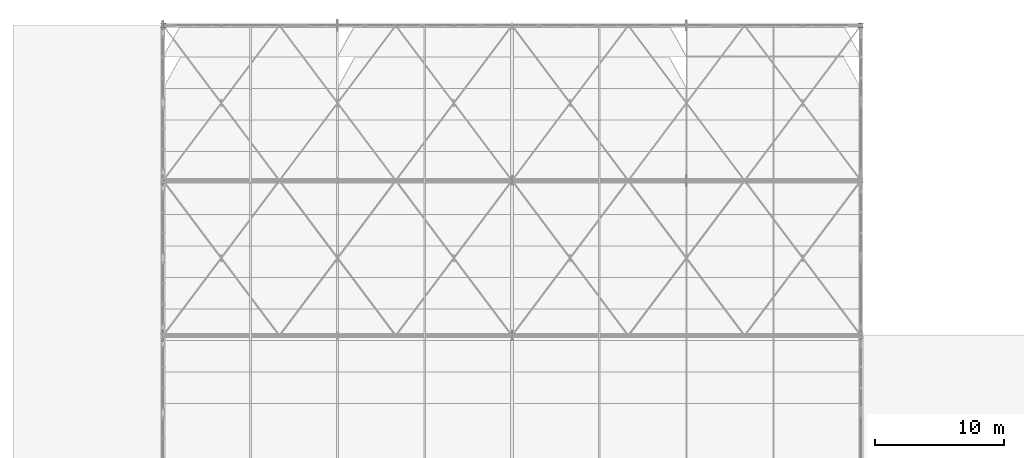
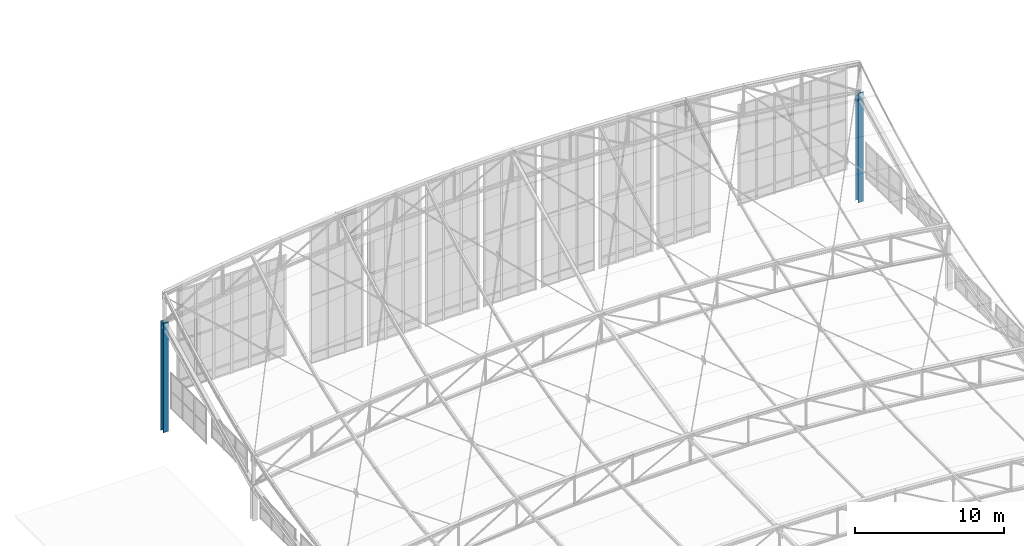
# One storey, part 11 of 262: 2 columns.
"""IFC4 building model written with IfcOpenShell, lengths in metres."""

import ifcopenshell
import ifcopenshell.guid

model = None  # the IFC model being written
_history = None  # IfcOwnerHistory: only IFC2X3 demands one
_inside = {}  # id of a spatial element -> (the spatial element, [elements in it])
_under = {}  # id of a project, library or spatial element -> (it, [spatial elements below it])
_declared = {}  # id of a project -> (the project, [libraries it declares])
_typed = {}  # id of a type object -> (the type object, [elements of that type])
_made_of = {}  # id of a material, layer set ... -> (it, [elements and type objects made of it])


def new_model(schema):
    """Start an empty IFC model of exactly this schema.

    Asked for "IFC4X3", IfcOpenShell would pick the latest addendum, in which some entities
    have other attributes; the version numbers below select the first issue.
    IFC2X3 requires an IfcOwnerHistory on every rooted entity: one is made here for all.
    """
    global model, _history
    if schema == "IFC4X3":
        model = ifcopenshell.file(schema_version=(4, 3, 0, 0))
    else:
        model = ifcopenshell.file(schema=schema)
    _inside.clear()
    _under.clear()
    _declared.clear()
    _typed.clear()
    _made_of.clear()
    _history = None
    if model.schema == "IFC2X3":
        org = make("IfcOrganization", Name="unknown")
        user = make(
            "IfcPersonAndOrganization",
            ThePerson=make("IfcPerson", FamilyName="unknown"),
            TheOrganization=org,
        )
        app = make(
            "IfcApplication",
            ApplicationDeveloper=org,
            Version="unknown",
            ApplicationFullName="unknown",
            ApplicationIdentifier="unknown",
        )
        _history = make(
            "IfcOwnerHistory",
            OwningUser=user,
            OwningApplication=app,
            ChangeAction="ADDED",
            CreationDate=0,
        )
    return model


def make(cls, **values):
    """One entity of the class cls with the attributes given. An attribute that is None is left unset."""
    return model.create_entity(
        cls, **{name: value for name, value in values.items() if value is not None}
    )


def rooted(cls, **values):
    """An entity with a GlobalId (a new one), such as an element, a storey or a relation."""
    return make(cls, GlobalId=ifcopenshell.guid.new(), OwnerHistory=_history, **values)


def si_unit(unit_type, name, prefix=None):
    """IfcSIUnit, for example si_unit("LENGTHUNIT", "METRE", prefix="MILLI")."""
    return make("IfcSIUnit", UnitType=unit_type, Prefix=prefix, Name=name)


def derived_unit(unit_type, elements):
    """IfcDerivedUnit: a product of units, each with its exponent."""
    return make(
        "IfcDerivedUnit",
        Elements=[
            make("IfcDerivedUnitElement", Unit=unit, Exponent=power)
            for unit, power in elements
        ],
        UnitType=unit_type,
    )


def assignment(units):
    """IfcUnitAssignment: the units of a project."""
    return None if units is None else make("IfcUnitAssignment", Units=units)


def point(xyz):
    """IfcCartesianPoint."""
    return None if xyz is None else make("IfcCartesianPoint", Coordinates=xyz)


def direction(xyz):
    """IfcDirection."""
    return None if xyz is None else make("IfcDirection", DirectionRatios=xyz)


def frame(location, z_axis=None, x_axis=None):
    """IfcAxis2Placement3D, a coordinate frame: its origin and axes. An axis left out is left unset."""
    return make(
        "IfcAxis2Placement3D",
        Location=point(location),
        Axis=direction(z_axis),
        RefDirection=direction(x_axis),
    )


def frame_2d(location, x_axis=None):
    """IfcAxis2Placement2D, a coordinate frame in the plane: its origin and x axis."""
    return make(
        "IfcAxis2Placement2D", Location=point(location), RefDirection=direction(x_axis)
    )


def origin():
    """The frame at (0, 0, 0) with its axes left unset."""
    return frame((0.0, 0.0, 0.0))


def origin_2d():
    """The frame at (0, 0) in the plane with its x axis left unset."""
    return frame_2d((0.0, 0.0))


def place(relative_to, where):
    """IfcLocalPlacement: puts the frame where relative to a parent placement (None: the world)."""
    return make(
        "IfcLocalPlacement", PlacementRelTo=relative_to, RelativePlacement=where
    )


def context(
    kind, dimensions, precision=None, world=None, true_north=None, identifier=None
):
    """IfcGeometricRepresentationContext, for example the 3D "Model" context."""
    return make(
        "IfcGeometricRepresentationContext",
        ContextIdentifier=identifier,
        ContextType=kind,
        CoordinateSpaceDimension=dimensions,
        Precision=precision,
        WorldCoordinateSystem=world,
        TrueNorth=true_north,
    )


def subcontext(parent, identifier, kind, view, scale=None):
    """IfcGeometricRepresentationSubContext, for example "Body" below "Model"."""
    return make(
        "IfcGeometricRepresentationSubContext",
        ContextIdentifier=identifier,
        ContextType=kind,
        ParentContext=parent,
        TargetScale=scale,
        TargetView=view,
    )


def project(units=None, contexts=None):
    """IfcProject with its units and contexts."""
    return rooted(
        "IfcProject",
        Name="project",
        RepresentationContexts=contexts,
        UnitsInContext=assignment(units),
    )


def spatial(cls, under=None, at=None, **own):
    """A site, building, storey or space (cls), placed at a placement, below another one or the project."""
    s = rooted(cls, ObjectPlacement=at, **own)
    if under is not None:
        _under.setdefault(under.id(), (under, []))[1].append(s)
    return s


def profile(cls, at=None, kind="AREA", **sizes):
    """A parametric profile (cls). Its sizes go by their IFC names, for example OverallWidth=200.0."""
    return make(cls, ProfileType=kind, Position=at, **sizes)


def i_section(**sizes):
    """IfcIShapeProfileDef."""
    return profile("IfcIShapeProfileDef", **sizes)


def extrude(swept, where, along, depth):
    """IfcExtrudedAreaSolid: the profile swept, set in the frame where, extruded along a direction by depth."""
    return make(
        "IfcExtrudedAreaSolid",
        SweptArea=swept,
        Position=where,
        ExtrudedDirection=direction(along),
        Depth=depth,
    )


def shape(context_of_items, identifier, shape_type, items):
    """IfcShapeRepresentation: the items that make up one representation, for example the "Body"."""
    return make(
        "IfcShapeRepresentation",
        ContextOfItems=context_of_items,
        RepresentationIdentifier=identifier,
        RepresentationType=shape_type,
        Items=items,
    )


def material(Name=None, Category=None):
    """IfcMaterial."""
    return make("IfcMaterial", Name=Name, Category=Category)


def material_profile(
    of_material, cross_section, Name=None, Category=None, Priority=None
):
    """IfcMaterialProfile: a cross section and its material."""
    return make(
        "IfcMaterialProfile",
        Name=Name,
        Material=of_material,
        Profile=cross_section,
        Priority=Priority,
        Category=Category,
    )


def profile_set(profiles, Name=None, composite=None):
    """IfcMaterialProfileSet."""
    return make(
        "IfcMaterialProfileSet",
        Name=Name,
        MaterialProfiles=profiles,
        CompositeProfile=composite,
    )


def made_of(thing, what):
    """Note that an element or type object is made of a material, layer set ...; save() writes the relation."""
    if what is not None:
        _made_of.setdefault(what.id(), (what, []))[1].append(thing)
    return thing


def type_object(cls, material=None, **own):
    """A type object (cls), such as IfcWallType, which elements share."""
    return made_of(rooted(cls, **own), material)


def element(
    cls,
    number,
    at=None,
    inside=None,
    cuts=None,
    type_object=None,
    material=None,
    context=None,
    identifier="Body",
    shape_type=None,
    held_by="IfcProductDefinitionShape",
    body=None,
    shapes=None,
    **own,
):
    """One element of the class cls, such as IfcWall. Its Tag is "e" and its number.

    at: its placement. inside: the storey or other place that contains it. cuts: it is an
    opening in that element (IfcRelVoidsElement). A single representation is given by context,
    identifier, shape_type and body (its items); several are given by shapes. held_by: the class
    of the entity that holds the representations. save() writes the other relations.
    """
    e = rooted(cls, Tag="e%d" % number, ObjectPlacement=at, **own)
    if body is not None:
        shapes = [shape(context, identifier, shape_type, body)]
    if shapes is not None:
        e.Representation = make(held_by, Representations=shapes)
    if inside is not None:
        _inside.setdefault(inside.id(), (inside, []))[1].append(e)
    if cuts is not None:
        rooted(
            "IfcRelVoidsElement", RelatingBuildingElement=cuts, RelatedOpeningElement=e
        )
    if type_object is not None:
        _typed.setdefault(type_object.id(), (type_object, []))[1].append(e)
    return made_of(e, material)


def aggregate(whole, parts):
    """IfcRelAggregates: a whole, such as a stair, and the parts it consists of."""
    return rooted("IfcRelAggregates", RelatingObject=whole, RelatedObjects=parts)


def save(model, path):
    """Write the relations noted so far, then the file.

    IfcRelAggregates (storeys below a building ...), IfcRelContainedInSpatialStructure (elements
    in a storey), IfcRelDefinesByType, IfcRelAssociatesMaterial and IfcRelDeclares: one each for
    every whole, place, type object, material and project.
    """
    for whole, parts in _under.values():
        aggregate(whole, parts)
    for where, things in _inside.values():
        rooted(
            "IfcRelContainedInSpatialStructure",
            RelatedElements=things,
            RelatingStructure=where,
        )
    for kind, things in _typed.values():
        rooted("IfcRelDefinesByType", RelatedObjects=things, RelatingType=kind)
    for what, things in _made_of.values():
        rooted("IfcRelAssociatesMaterial", RelatedObjects=things, RelatingMaterial=what)
    for by, libraries in _declared.values():
        rooted("IfcRelDeclares", RelatingContext=by, RelatedDefinitions=libraries)
    model.write(path)


model = new_model("IFC4")

# Units and contexts
model_context = context("Model", 3, precision=1e-05, world=origin(), true_north=direction((0.0, 1.0)))
body_context = subcontext(model_context, "Body", "Model", "MODEL_VIEW")
ifc_project = project(units=[si_unit("LENGTHUNIT", "METRE"), si_unit("AREAUNIT", "SQUARE_METRE"), si_unit("VOLUMEUNIT", "CUBIC_METRE"), si_unit("PLANEANGLEUNIT", "RADIAN"), si_unit("MASSUNIT", "GRAM", prefix="KILO"), derived_unit("THERMALTRANSMITTANCEUNIT", [(si_unit("POWERUNIT", "WATT"), 1), (si_unit("LENGTHUNIT", "METRE"), -2), (si_unit("THERMODYNAMICTEMPERATUREUNIT", "KELVIN"), -1)])], contexts=[model_context])

# Site, building, storey
site_placement = place(None, origin())
site = spatial("IfcSite", under=ifc_project, at=site_placement, CompositionType="ELEMENT")
building_placement = place(site_placement, origin())
building = spatial("IfcBuilding", under=site, at=building_placement, Name="Almenara Railside Exhibition Hall", CompositionType="ELEMENT")
storey_placement = place(building_placement, frame((0.0, 0.0, 21.699951171875)))
storey = spatial("IfcBuildingStorey", under=building, at=storey_placement, Name="RF", CompositionType="ELEMENT", Elevation=21.699951171875)

# Columns
ifc_material = material(Name="Structural steel S355JR", Category="steel")
ifc_material_profile = material_profile(ifc_material, i_section(OverallWidth=0.394775390625, OverallDepth=0.381103515625, WebThickness=0.018310546875, FlangeThickness=0.0302734375, FilletRadius=0.01513671875, at=origin_2d()), Name="UC 356x406x235")
ifc_profile_set = profile_set([ifc_material_profile], Name="Structural steel S355JR")
column_type = type_object("IfcColumnType", Name="Steel Column UC 356x406x235 S355JR", PredefinedType="COLUMN", material=ifc_profile_set)
for number, where, z_axis, x_axis, name in (
    (1, (12.0, 132.0, -2.39990234375), (0.0, 0.0, 1.0), (1.0, 0.0, 0.0), "V1 scroll portal column 8"),
    (2, (66.0, 132.0, -2.39990234375), (0.0, 0.0, 1.0), (1.0, 0.0, 0.0), "V1 scroll portal column 8"),
):
    element("IfcColumn", number, at=place(storey_placement, frame(where, z_axis=z_axis, x_axis=x_axis)), inside=storey, type_object=column_type, Name=name, PredefinedType="COLUMN", context=body_context, shape_type="SweptSolid", body=[
        extrude(i_section(OverallWidth=0.394775390625, OverallDepth=0.381103515625, WebThickness=0.018310546875, FlangeThickness=0.0302734375, FilletRadius=0.01513671875, at=origin_2d()), origin(), (0.0, 0.0, 1.0), 9.0),
    ])

save(model, "model.ifc")
